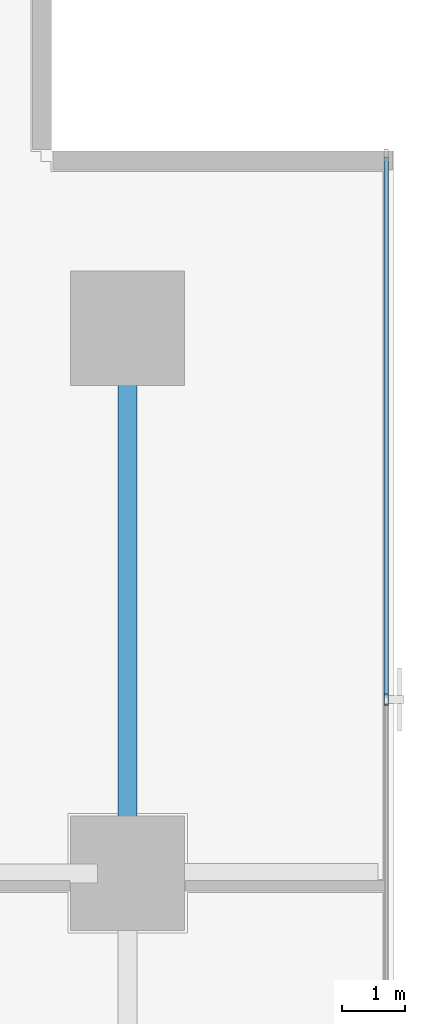
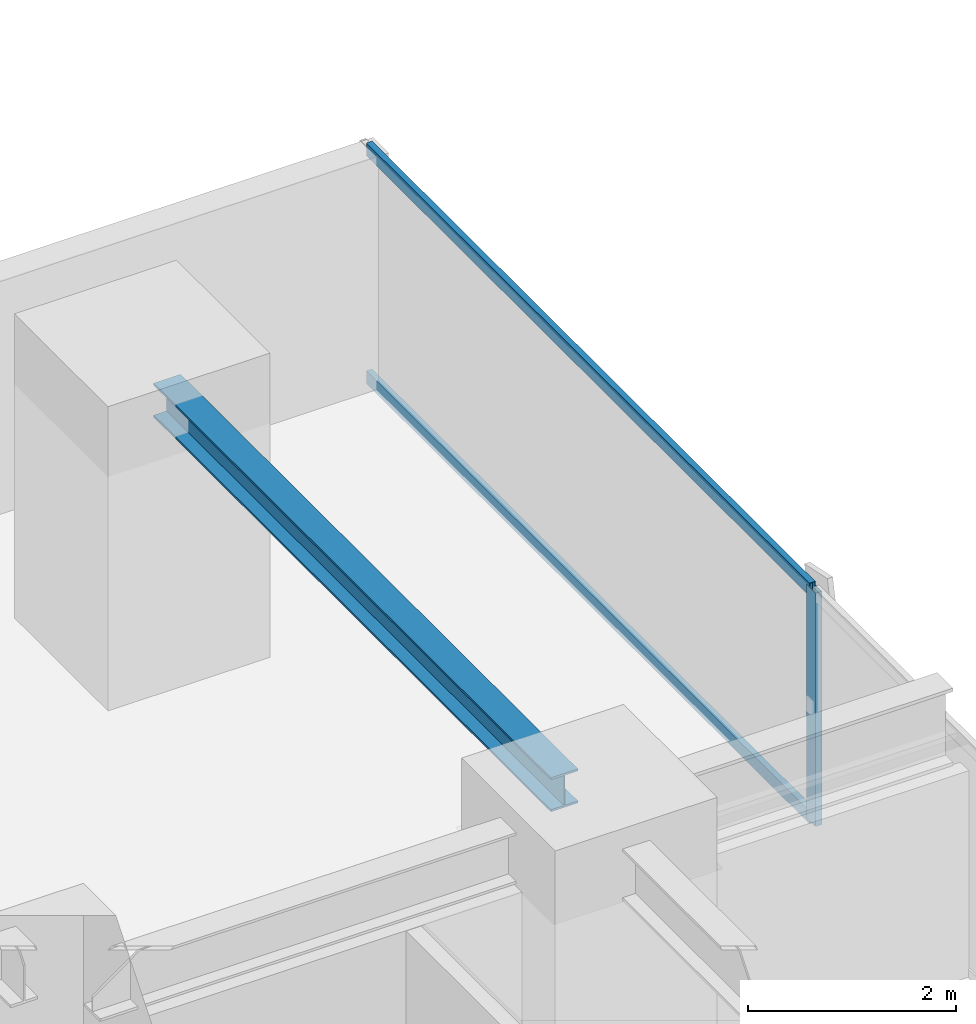
# One storey, part 21 of 34: 3 members, 1 beam, 1 element without a shape of its own.
"""IFC4 building model written with IfcOpenShell, lengths in metres."""

from ifc_helpers import new_model, si_unit, direction, frame, origin, origin_2d, place, context, subcontext, project, spatial, hollow_rectangle, i_section, extrude, source, transform, mapped, material, layer, layer_set, material_profile, profile_set, type_object, element, aggregate, save


model = new_model("IFC4")

# Units and contexts
model_context = context("Model", 3, precision=1e-05, world=origin(), true_north=direction((0.0, 1.0)))
body_context = subcontext(model_context, "Body", "Model", "MODEL_VIEW")
ifc_project = project(units=[si_unit("LENGTHUNIT", "METRE"), si_unit("AREAUNIT", "SQUARE_METRE"), si_unit("VOLUMEUNIT", "CUBIC_METRE"), si_unit("PLANEANGLEUNIT", "RADIAN"), si_unit("MASSUNIT", "GRAM", prefix="KILO")], contexts=[model_context])

# Site, building, storey
site_placement = place(None, origin())
site = spatial("IfcSite", under=ifc_project, at=site_placement, CompositionType="ELEMENT")
building_placement = place(site_placement, origin())
building = spatial("IfcBuilding", under=site, at=building_placement, Name="Sumidabori Civic Tower", CompositionType="ELEMENT")
storey_placement = place(building_placement, frame((0.0, 0.0, 56.0)))
storey = spatial("IfcBuildingStorey", under=building, at=storey_placement, Name="L14", CompositionType="ELEMENT", Elevation=56.0)

# Beam
ifc_material_1 = material(Name="Steel SN490", Category="steel")
ifc_material_profile_1 = material_profile(ifc_material_1, i_section(OverallWidth=0.300048828125, OverallDepth=0.39990234375, WebThickness=0.013427734375, FlangeThickness=0.02392578125, at=origin_2d()), Name="HE 400 B")
ifc_profile_set_1 = profile_set([ifc_material_profile_1], Name="Steel SN490")
beam_type = type_object("IfcBeamType", Name="BM-GIRD-400", PredefinedType="BEAM", material=ifc_profile_set_1)
shared_shape_1 = source(origin(), body_context, "Body", "SweptSolid", [
    extrude(i_section(OverallWidth=0.300048828125, OverallDepth=0.39990234375, WebThickness=0.013427734375, FlangeThickness=0.02392578125, at=origin_2d()), origin(), (0.0, 0.0, 1.0), 7.64013671875),
])
beam_placement = place(storey_placement, frame((22.800048828125, 10.679931640625, 3.159912109375), z_axis=(0.0, 1.0, 0.0), x_axis=(-1.0, 0.0, 0.0)))
element("IfcBeam", 1, at=beam_placement, inside=storey, type_object=beam_type, Name="Primary Girder L14 GY-42", PredefinedType="BEAM", context=body_context, shape_type="MappedRepresentation", body=[
    mapped(shared_shape_1, transform((0.0, 0.0, 0.0), x_axis=(1.0, 0.0, 0.0), y_axis=(0.0, 1.0, 0.0), z_axis=(0.0, 0.0, 1.0), scale=1.0)),
])

# Curtain wall, members
ifc_material_2 = material(Name="Anodised Bronze Aluminium AW-6063-T6", Category="aluminium")
ifc_layer = layer(ifc_material_2, 0.179931640625, Name="Anodised Bronze Aluminium AW-6063-T6")
ifc_layer_set = layer_set([ifc_layer], Name="Anodised Bronze Aluminium AW-6063-T6")
curtain_wall_type = type_object("IfcCurtainWallType", Name="CW-SYS-2", PredefinedType="NOTDEFINED", material=ifc_layer_set)
curtain_wall_placement = place(storey_placement, origin())
curtain_wall = element("IfcCurtainWall", 2, at=curtain_wall_placement, inside=storey, type_object=curtain_wall_type, Name="Curtain Wall CW:L14:R04", PredefinedType="NOTDEFINED")
ifc_material_profile_2 = material_profile(ifc_material_2, hollow_rectangle(XDim=0.070068359375, YDim=0.179931640625, WallThickness=0.006103515625, at=origin_2d()), Name="ALU MULLION 180x70")
ifc_profile_set_2 = profile_set([ifc_material_profile_2], Name="Anodised Bronze Aluminium AW-6063-T6")
member_type_1 = type_object("IfcMemberType", Name="CW-MUL-180", PredefinedType="MULLION", material=ifc_profile_set_2)
shared_shape_2 = source(origin(), body_context, "Body", "SweptSolid", [
    extrude(hollow_rectangle(XDim=0.070068359375, YDim=0.179931640625, WallThickness=0.006103515625, at=origin_2d()), origin(), (0.0, 0.0, 1.0), 2.739990234375),
])
member_1_placement = place(storey_placement, frame((26.8798828125, 12.94189453125, 0.0), z_axis=(0.0, 0.0, 1.0), x_axis=(-1.0, 0.0, 0.0)))
member_1 = element("IfcMember", 3, at=member_1_placement, type_object=member_type_1, Name="CW-2 mullion 5", PredefinedType="MULLION", context=body_context, shape_type="MappedRepresentation", body=[
    mapped(shared_shape_2, transform((0.0, 0.0, 0.0), x_axis=(1.0, 0.0, 0.0), y_axis=(0.0, 1.0, 0.0), z_axis=(0.0, 0.0, 1.0), scale=1.0)),
])
ifc_material_profile_3 = material_profile(ifc_material_2, hollow_rectangle(XDim=0.06494140625, YDim=0.14990234375, WallThickness=0.0048828125, at=origin_2d()), Name="ALU TRANSOM 150x65")
ifc_profile_set_3 = profile_set([ifc_material_profile_3], Name="Anodised Bronze Aluminium AW-6063-T6")
member_type_2 = type_object("IfcMemberType", Name="CW-TRN-150", PredefinedType="USERDEFINED", material=ifc_profile_set_3)
shared_shape_3 = source(origin(), body_context, "Body", "SweptSolid", [
    extrude(hollow_rectangle(XDim=0.06494140625, YDim=0.14990234375, WallThickness=0.0048828125, at=origin_2d()), origin(), (0.0, 0.0, 1.0), 8.52294921875),
])
member_2_placement = place(storey_placement, frame((26.8798828125, 12.97705078125, 0.032470703125), z_axis=(0.0, 1.0, 0.0), x_axis=(-1.0, 0.0, 0.0)))
member_2 = element("IfcMember", 4, at=member_2_placement, type_object=member_type_2, Name="CW-2 transom 5.1", ObjectType="TRANSOM", PredefinedType="USERDEFINED", context=body_context, shape_type="MappedRepresentation", body=[
    mapped(shared_shape_3, transform((0.0, 0.0, 0.0), x_axis=(1.0, 0.0, 0.0), y_axis=(0.0, 1.0, 0.0), z_axis=(0.0, 0.0, 1.0), scale=1.0)),
])
member_3_placement = place(storey_placement, frame((26.8798828125, 12.97705078125, 2.70751953125), z_axis=(0.0, 1.0, 0.0), x_axis=(-1.0, 0.0, 0.0)))
member_3 = element("IfcMember", 5, at=member_3_placement, type_object=member_type_2, Name="CW-2 transom 5.2", ObjectType="TRANSOM", PredefinedType="USERDEFINED", context=body_context, shape_type="MappedRepresentation", body=[
    mapped(shared_shape_3, transform((0.0, 0.0, 0.0), x_axis=(1.0, 0.0, 0.0), y_axis=(0.0, 1.0, 0.0), z_axis=(0.0, 0.0, 1.0), scale=1.0)),
])
aggregate(curtain_wall, [member_1, member_2, member_3])

save(model, "model.ifc")
